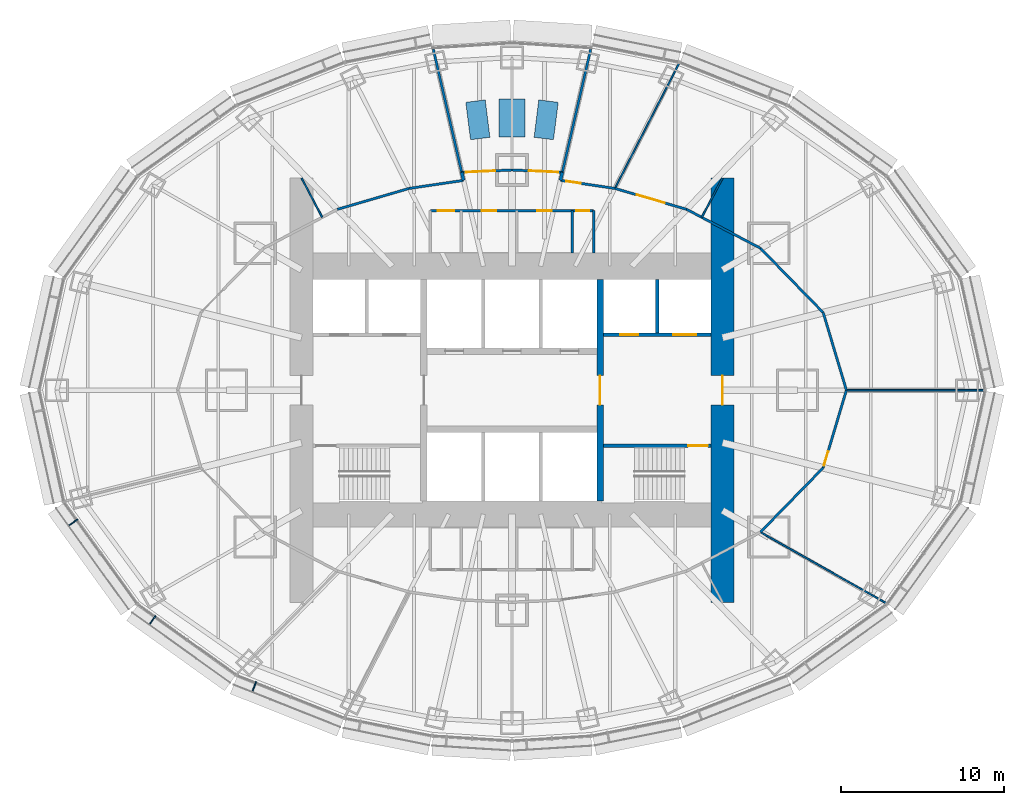
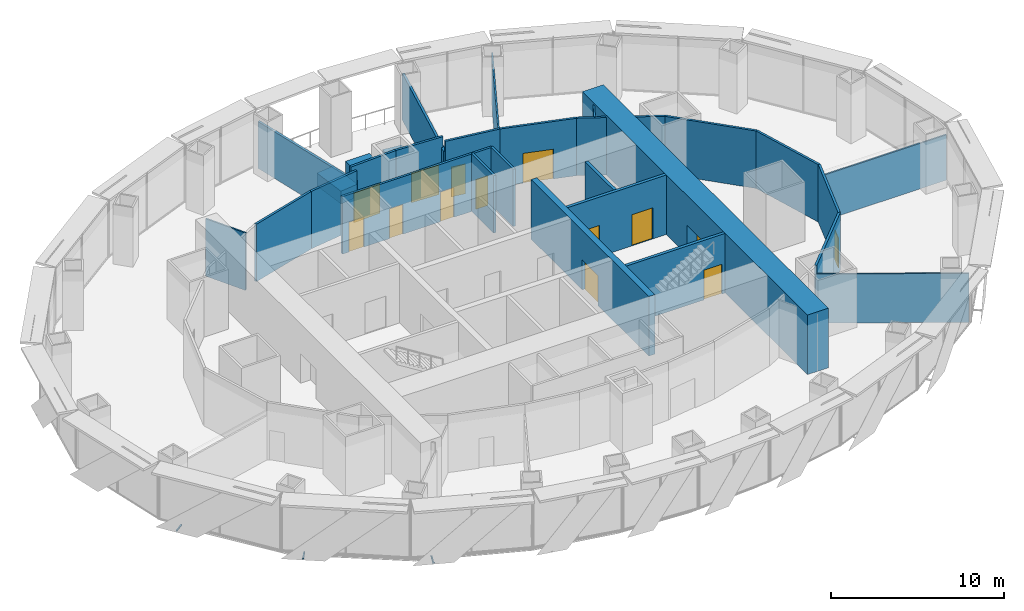
# One storey, part 12 of 17: 31 walls, 14 doors, 3 discrete accessories, 14 openings.
"""IFC4 building model written with IfcOpenShell, lengths in metres."""

from ifc_helpers import new_model, si_unit, direction, frame, frame_2d, origin, origin_2d, place, context, subcontext, project, spatial, rectangle, extrude, material, layer, layer_set, type_object, element, fill, save


model = new_model("IFC4")

# Units and contexts
model_context = context("Model", 3, precision=1e-05, world=origin(), true_north=direction((0.0, 1.0)))
body_context = subcontext(model_context, "Body", "Model", "MODEL_VIEW")
ifc_project = project(units=[si_unit("LENGTHUNIT", "METRE"), si_unit("AREAUNIT", "SQUARE_METRE"), si_unit("VOLUMEUNIT", "CUBIC_METRE"), si_unit("PLANEANGLEUNIT", "RADIAN"), si_unit("MASSUNIT", "GRAM", prefix="KILO")], contexts=[model_context])

# Site, building, storey
site_placement = place(None, origin())
site = spatial("IfcSite", under=ifc_project, at=site_placement, CompositionType="ELEMENT")
building_placement = place(site_placement, origin())
building = spatial("IfcBuilding", under=site, at=building_placement, Name="Lantaw Convention Tower", CompositionType="ELEMENT")
storey_placement = place(building_placement, frame((0.0, 0.0, 151.0)))
storey = spatial("IfcBuildingStorey", under=building, at=storey_placement, Name="L35", CompositionType="ELEMENT", Elevation=151.0)

# Wall, opening, door
ifc_material_1 = material(Name="Concrete C60/75", Category="concrete")
ifc_layer_1 = layer(ifc_material_1, 1.39990234375)
ifc_layer_set_1 = layer_set([ifc_layer_1], Name="Core wall 1400")
wall_type_1 = type_object("IfcWallType", Name="Core wall 1400", PredefinedType="SHEAR", material=ifc_layer_set_1)
wall_1_placement = place(storey_placement, frame((12.89990234375, -13.0, 0.0), z_axis=(0.0, 0.0, 1.0), x_axis=(0.0, 1.0, 0.0)))
wall_1 = element("IfcWall", 1, at=wall_1_placement, inside=storey, type_object=wall_type_1, Name="Core wall E", PredefinedType="SHEAR", context=body_context, shape_type="SweptSolid", body=[
    extrude(rectangle(XDim=26.0, YDim=1.39990234375, at=frame_2d((13.0, 0.0))), origin(), (0.0, 0.0, 1.0), 4.199951171875),
])
opening_1_placement = place(wall_1_placement, frame((12.10009765625, 0.0, 0.0)))
opening_1 = element("IfcOpeningElement", 2, at=opening_1_placement, cuts=wall_1, Name="Opening L35.05", PredefinedType="OPENING", context=body_context, shape_type="SweptSolid", body=[
    extrude(rectangle(XDim=1.800048828125, YDim=2.10009765625, at=frame_2d((0.89990234375, 1.050048828125))), frame((0.0, 0.7099609375, 0.0), z_axis=(0.0, -1.0, 0.0), x_axis=(1.0, 0.0, 0.0)), (0.0, 0.0, 1.0), 1.419921875),
])
ifc_material_2 = material(Name="Steel, fire rated", Category="steel")
door_type_1 = type_object("IfcDoorType", Name="Lobby double door FD90", OperationType="DOUBLE_DOOR_DOUBLE_SWING", PredefinedType="DOOR", material=ifc_material_2)
door_1_placement = place(opening_1_placement, origin())
door_1 = element("IfcDoor", 3, at=door_1_placement, inside=storey, type_object=door_type_1, Name="Firefighting lobby door", OperationType="DOUBLE_DOOR_DOUBLE_SWING", OverallHeight=2.10009765625, OverallWidth=1.800048828125, PredefinedType="DOOR", context=body_context, shape_type="SweptSolid", body=[
    extrude(rectangle(XDim=1.800048828125, YDim=2.10009765625, at=frame_2d((0.89990234375, 1.050048828125))), frame((0.0, 0.02490234375, 0.0), z_axis=(0.0, -1.0, 0.0), x_axis=(1.0, 0.0, 0.0)), (0.0, 0.0, 1.0), 0.050048828125),
])
fill(opening_1, door_1)

ifc_layer_2 = layer(ifc_material_1, 0.199951171875)
ifc_layer_set_2 = layer_set([ifc_layer_2], Name="Core wall 200")
wall_type_2 = type_object("IfcWallType", Name="Core wall 200", PredefinedType="SHEAR", material=ifc_layer_set_2)
wall_2_placement = place(storey_placement, frame((5.60009765625, -3.39990234375, 0.0), z_axis=(0.0, 0.0, 1.0), x_axis=(1.0, 0.0, 0.0)))
wall_2 = element("IfcWall", 4, at=wall_2_placement, inside=storey, type_object=wall_type_2, Name="Core wall ES", PredefinedType="SHEAR", context=body_context, shape_type="SweptSolid", body=[
    extrude(rectangle(XDim=6.599853515625, YDim=0.199951171875, at=frame_2d((3.2998046875, 0.0))), origin(), (0.0, 0.0, 1.0), 4.199951171875),
])
opening_2_placement = place(wall_2_placement, frame((5.199951171875, 0.0, 0.0)))
opening_2 = element("IfcOpeningElement", 5, at=opening_2_placement, cuts=wall_2, Name="Opening L35.03", PredefinedType="OPENING", context=body_context, shape_type="SweptSolid", body=[
    extrude(rectangle(XDim=1.199951171875, YDim=2.10009765625, at=frame_2d((0.60009765625, 1.050048828125))), frame((0.0, 0.10986328125, 0.0), z_axis=(0.0, -1.0, 0.0), x_axis=(1.0, 0.0, 0.0)), (0.0, 0.0, 1.0), 0.219970703125),
])
door_type_2 = type_object("IfcDoorType", Name="Stair door FD90", OperationType="SINGLE_SWING_RIGHT", PredefinedType="DOOR", material=ifc_material_2)
door_2_placement = place(opening_2_placement, origin())
door_2 = element("IfcDoor", 6, at=door_2_placement, inside=storey, type_object=door_type_2, Name="Exit stair door", OperationType="SINGLE_SWING_RIGHT", OverallHeight=2.10009765625, OverallWidth=1.199951171875, PredefinedType="DOOR", context=body_context, shape_type="SweptSolid", body=[
    extrude(rectangle(XDim=1.199951171875, YDim=2.10009765625, at=frame_2d((0.60009765625, 1.050048828125))), frame((0.0, 0.02490234375, 0.0), z_axis=(0.0, -1.0, 0.0), x_axis=(1.0, 0.0, 0.0)), (0.0, 0.0, 1.0), 0.050048828125),
])
fill(opening_2, door_2)

ifc_layer_3 = layer(ifc_material_1, 0.39990234375)
ifc_layer_set_3 = layer_set([ifc_layer_3], Name="Core wall 400")
wall_type_3 = type_object("IfcWallType", Name="Core wall 400", PredefinedType="SHEAR", material=ifc_layer_set_3)
wall_3_placement = place(storey_placement, frame((5.39990234375, -6.800048828125, 0.0), z_axis=(0.0, 0.0, 1.0), x_axis=(0.0, 1.0, 0.0)))
wall_3 = element("IfcWall", 7, at=wall_3_placement, inside=storey, type_object=wall_type_3, Name="Core wall XE", PredefinedType="SHEAR", context=body_context, shape_type="SweptSolid", body=[
    extrude(rectangle(XDim=13.60009765625, YDim=0.39990234375, at=frame_2d((6.800048828125, 0.0))), origin(), (0.0, 0.0, 1.0), 4.199951171875),
])
opening_3_placement = place(wall_3_placement, frame((5.89990234375, 0.0, 0.0)))
opening_3 = element("IfcOpeningElement", 8, at=opening_3_placement, cuts=wall_3, Name="Opening L35.01", PredefinedType="OPENING", context=body_context, shape_type="SweptSolid", body=[
    extrude(rectangle(XDim=1.800048828125, YDim=2.10009765625, at=frame_2d((0.89990234375, 1.050048828125))), frame((0.0, 0.2099609375, 0.0), z_axis=(0.0, -1.0, 0.0), x_axis=(1.0, 0.0, 0.0)), (0.0, 0.0, 1.0), 0.419921875),
])
door_3_placement = place(opening_3_placement, origin())
door_3 = element("IfcDoor", 9, at=door_3_placement, inside=storey, type_object=door_type_1, Name="Lift lobby door", OperationType="DOUBLE_DOOR_DOUBLE_SWING", OverallHeight=2.10009765625, OverallWidth=1.800048828125, PredefinedType="DOOR", context=body_context, shape_type="SweptSolid", body=[
    extrude(rectangle(XDim=1.800048828125, YDim=2.10009765625, at=frame_2d((0.89990234375, 1.050048828125))), frame((0.0, 0.02490234375, 0.0), z_axis=(0.0, -1.0, 0.0), x_axis=(1.0, 0.0, 0.0)), (0.0, 0.0, 1.0), 0.050048828125),
])
fill(opening_3, door_3)

# Walls
ifc_material_3 = material(Name="Gypsum board on steel studs, fire rated", Category="steel")
ifc_layer_4 = layer(ifc_material_3, 0.14990234375)
ifc_layer_set_4 = layer_set([ifc_layer_4], Name="Corridor wall 150 EI 60")
wall_type_4 = type_object("IfcWallType", Name="Corridor wall 150 EI 60", PredefinedType="PARTITIONING", material=ifc_layer_set_4)
wall_4_placement = place(storey_placement, frame((20.5, 0.0, 0.0), z_axis=(0.0, 0.0, 1.0), x_axis=(-0.286346182056, 0.958126225516, 0.0)))
element("IfcWall", 10, at=wall_4_placement, inside=storey, type_object=wall_type_4, Name="Corridor wall 150", PredefinedType="PARTITIONING", context=body_context, shape_type="SweptSolid", body=[
    extrude(rectangle(XDim=4.96484375, YDim=0.14990234375, at=frame_2d((2.482421875, 0.0))), origin(), (0.0, 0.0, 1.0), 4.050048828125),
])
wall_5_placement = place(storey_placement, frame((19.078369140625, 4.7568359375, 0.0), z_axis=(0.0, 0.0, 1.0), x_axis=(-0.698305033542, 0.715800307439, 0.0)))
element("IfcWall", 11, at=wall_5_placement, inside=storey, type_object=wall_type_4, Name="Corridor wall 150", PredefinedType="PARTITIONING", context=body_context, shape_type="SweptSolid", body=[
    extrude(rectangle(XDim=5.51220703125, YDim=0.14990234375, at=frame_2d((2.756103515625, 0.0))), origin(), (0.0, 0.0, 1.0), 4.050048828125),
])
wall_6_placement = place(storey_placement, frame((15.229248046875, 8.702392578125, 0.0), z_axis=(0.0, 0.0, 1.0), x_axis=(-0.884643590306, 0.466267860924, 0.0)))
element("IfcWall", 12, at=wall_6_placement, inside=storey, type_object=wall_type_4, Name="Corridor wall 150", PredefinedType="PARTITIONING", context=body_context, shape_type="SweptSolid", body=[
    extrude(rectangle(XDim=5.113037109375, YDim=0.14990234375, at=frame_2d((2.556640625, 0.0))), origin(), (0.0, 0.0, 1.0), 4.050048828125),
])

# Wall, opening, door
wall_7_placement = place(storey_placement, frame((10.7060546875, 11.08642578125, 0.0), z_axis=(0.0, 0.0, 1.0), x_axis=(-0.96001728753, 0.279940721659, 0.0)))
wall_7 = element("IfcWall", 13, at=wall_7_placement, inside=storey, type_object=wall_type_4, Name="Corridor wall 150", PredefinedType="PARTITIONING", context=body_context, shape_type="SweptSolid", body=[
    extrude(rectangle(XDim=4.58642578125, YDim=0.14990234375, at=frame_2d((2.293212890625, 0.0))), origin(), (0.0, 0.0, 1.0), 4.050048828125),
])
opening_4_placement = place(wall_7_placement, frame((1.393310546875, 0.0, 0.0)))
opening_4 = element("IfcOpeningElement", 14, at=opening_4_placement, cuts=wall_7, Name="Opening L35.27", PredefinedType="OPENING", context=body_context, shape_type="SweptSolid", body=[
    extrude(rectangle(XDim=1.800048828125, YDim=2.10009765625, at=frame_2d((0.89990234375, 1.050048828125))), frame((0.0, 0.0849609375, 0.0), z_axis=(0.0, -1.0, 0.0), x_axis=(1.0, 0.0, 0.0)), (0.0, 0.0, 1.0), 0.169921875),
])
door_type_3 = type_object("IfcDoorType", Name="Office double door 1800 FD30", OperationType="DOUBLE_DOOR_DOUBLE_SWING", PredefinedType="DOOR", material=ifc_material_2)
door_4_placement = place(opening_4_placement, origin())
door_4 = element("IfcDoor", 15, at=door_4_placement, inside=storey, type_object=door_type_3, Name="Co-working hot-desk area door", OperationType="DOUBLE_DOOR_DOUBLE_SWING", OverallHeight=2.10009765625, OverallWidth=1.800048828125, PredefinedType="DOOR", context=body_context, shape_type="SweptSolid", body=[
    extrude(rectangle(XDim=1.800048828125, YDim=2.10009765625, at=frame_2d((0.89990234375, 1.050048828125))), frame((0.0, 0.02490234375, 0.0), z_axis=(0.0, -1.0, 0.0), x_axis=(1.0, 0.0, 0.0)), (0.0, 0.0, 1.0), 0.050048828125),
])
fill(opening_4, door_4)

wall_8_placement = place(storey_placement, frame((6.302978515625, 12.370361328125, 0.0), z_axis=(0.0, 0.0, 1.0), x_axis=(-0.989262902935, 0.146146874329, 0.0)))
wall_8 = element("IfcWall", 16, at=wall_8_placement, inside=storey, type_object=wall_type_4, Name="Corridor wall 150", PredefinedType="PARTITIONING", context=body_context, shape_type="SweptSolid", body=[
    extrude(rectangle(XDim=3.369384765625, YDim=0.14990234375, at=frame_2d((1.6845703125, 0.0))), origin(), (0.0, 0.0, 1.0), 4.050048828125),
])
opening_5_placement = place(wall_8_placement, frame((2.1025390625, 0.0, 0.0)))
opening_5 = element("IfcOpeningElement", 17, at=opening_5_placement, cuts=wall_8, Name="Opening L35.28", PredefinedType="OPENING", context=body_context, shape_type="SweptSolid", body=[
    extrude(rectangle(XDim=0.89990234375, YDim=2.10009765625, at=frame_2d((0.449951171875, 1.050048828125))), frame((0.0, 0.0849609375, 0.0), z_axis=(0.0, -1.0, 0.0), x_axis=(1.0, 0.0, 0.0)), (0.0, 0.0, 1.0), 0.169921875),
])
door_type_4 = type_object("IfcDoorType", Name="Office door 900 FD30", OperationType="SINGLE_SWING_LEFT", PredefinedType="DOOR", material=ifc_material_2)
door_5_placement = place(opening_5_placement, origin())
door_5 = element("IfcDoor", 18, at=door_5_placement, inside=storey, type_object=door_type_4, Name="Phone booth room door", OperationType="SINGLE_SWING_LEFT", OverallHeight=2.10009765625, OverallWidth=0.89990234375, PredefinedType="DOOR", context=body_context, shape_type="SweptSolid", body=[
    extrude(rectangle(XDim=0.89990234375, YDim=2.10009765625, at=frame_2d((0.449951171875, 1.050048828125))), frame((0.0, 0.02490234375, 0.0), z_axis=(0.0, -1.0, 0.0), x_axis=(1.0, 0.0, 0.0)), (0.0, 0.0, 1.0), 0.050048828125),
])
fill(opening_5, door_5)

# Walls
wall_9_placement = place(storey_placement, frame((-2.9697265625, 12.86279296875, 0.0), z_axis=(0.0, 0.0, 1.0), x_axis=(-0.989262902935, -0.146146874329, 0.0)))
element("IfcWall", 19, at=wall_9_placement, inside=storey, type_object=wall_type_4, Name="Corridor wall 150", PredefinedType="PARTITIONING", context=body_context, shape_type="SweptSolid", body=[
    extrude(rectangle(XDim=3.369384765625, YDim=0.14990234375, at=frame_2d((1.6845703125, 0.0))), origin(), (0.0, 0.0, 1.0), 4.050048828125),
])
wall_10_placement = place(storey_placement, frame((-6.302978515625, 12.370361328125, 0.0), z_axis=(0.0, 0.0, 1.0), x_axis=(-0.96001728753, -0.279940721659, 0.0)))
element("IfcWall", 20, at=wall_10_placement, inside=storey, type_object=wall_type_4, Name="Corridor wall 150", PredefinedType="PARTITIONING", context=body_context, shape_type="SweptSolid", body=[
    extrude(rectangle(XDim=4.58642578125, YDim=0.14990234375, at=frame_2d((2.293212890625, 0.0))), origin(), (0.0, 0.0, 1.0), 4.050048828125),
])
wall_11_placement = place(storey_placement, frame((15.229248046875, -8.702392578125, 0.0), z_axis=(0.0, 0.0, 1.0), x_axis=(0.698305033542, 0.715800307439, 0.0)))
element("IfcWall", 21, at=wall_11_placement, inside=storey, type_object=wall_type_4, Name="Corridor wall 150", PredefinedType="PARTITIONING", context=body_context, shape_type="SweptSolid", body=[
    extrude(rectangle(XDim=5.51220703125, YDim=0.14990234375, at=frame_2d((2.756103515625, 0.0))), origin(), (0.0, 0.0, 1.0), 4.050048828125),
])

# Wall, opening, door
wall_12_placement = place(storey_placement, frame((19.078369140625, -4.7568359375, 0.0), z_axis=(0.0, 0.0, 1.0), x_axis=(0.286346182056, 0.958126225516, 0.0)))
wall_12 = element("IfcWall", 22, at=wall_12_placement, inside=storey, type_object=wall_type_4, Name="Corridor wall 150", PredefinedType="PARTITIONING", context=body_context, shape_type="SweptSolid", body=[
    extrude(rectangle(XDim=4.96484375, YDim=0.14990234375, at=frame_2d((2.482421875, 0.0))), origin(), (0.0, 0.0, 1.0), 4.050048828125),
])
opening_6_placement = place(wall_12_placement, frame((0.14990234375, 0.0, 0.0)))
opening_6 = element("IfcOpeningElement", 23, at=opening_6_placement, cuts=wall_12, Name="Opening L35.26", PredefinedType="OPENING", context=body_context, shape_type="SweptSolid", body=[
    extrude(rectangle(XDim=0.89990234375, YDim=2.10009765625, at=frame_2d((0.449951171875, 1.050048828125))), frame((0.0, 0.0849609375, 0.0), z_axis=(0.0, -1.0, 0.0), x_axis=(1.0, 0.0, 0.0)), (0.0, 0.0, 1.0), 0.169921875),
])
door_6_placement = place(opening_6_placement, origin())
door_6 = element("IfcDoor", 24, at=door_6_placement, inside=storey, type_object=door_type_4, Name="Meeting room door", OperationType="SINGLE_SWING_LEFT", OverallHeight=2.10009765625, OverallWidth=0.89990234375, PredefinedType="DOOR", context=body_context, shape_type="SweptSolid", body=[
    extrude(rectangle(XDim=0.89990234375, YDim=2.10009765625, at=frame_2d((0.449951171875, 1.050048828125))), frame((0.0, 0.02490234375, 0.0), z_axis=(0.0, -1.0, 0.0), x_axis=(1.0, 0.0, 0.0)), (0.0, 0.0, 1.0), 0.050048828125),
])
fill(opening_6, door_6)

# Walls
ifc_material_4 = material(Name="Insulated aluminium panel on steel frame", Category="steel")
ifc_layer_5 = layer(ifc_material_4, 0.199951171875)
ifc_layer_set_5 = layer_set([ifc_layer_5], Name="External wall 200")
wall_type_5 = type_object("IfcWallType", Name="External wall 200", PredefinedType="SOLIDWALL", material=ifc_layer_set_5)
for number, where, z_axis, x_axis, name in (
    (25, (3.0830078125, 13.353759765625, 0.0), (0.0, 0.0, 1.0), (-0.224824119182, -0.974399361368, 0.0), "External wall 200"),
    (26, (-3.0830078125, 13.353759765625, 0.0), (0.0, 0.0, 1.0), (0.224824119182, -0.974399361368, 0.0), "External wall 200"),
):
    element("IfcWall", number, at=place(storey_placement, frame(where, z_axis=z_axis, x_axis=x_axis)), inside=storey, type_object=wall_type_5, Name=name, PredefinedType="SOLIDWALL", context=body_context, shape_type="SweptSolid", body=[
        extrude(rectangle(XDim=0.50390625, YDim=0.199951171875, at=frame_2d((0.251953125, 0.0))), origin(), (0.0, 0.0, 1.0), 3.29296875),
    ])
ifc_material_5 = material(Name="Aluminium framed glazing", Category="aluminium")
ifc_layer_6 = layer(ifc_material_5, 0.14990234375)
ifc_layer_set_6 = layer_set([ifc_layer_6], Name="Glazed garden screen 150")
wall_type_6 = type_object("IfcWallType", Name="Glazed garden screen 150", PredefinedType="ELEMENTEDWALL", material=ifc_layer_set_6)
for number, where, z_axis, x_axis, name in (
    (27, (3.0830078125, 13.353759765625, 0.0), (0.0, 0.0, 1.0), (0.224937789559, 0.974373127107, 0.0), "Glazed garden screen"),
    (28, (-3.0830078125, 13.353759765625, 0.0), (0.0, 0.0, 1.0), (-0.224937789559, 0.974373127107, 0.0), "Glazed garden screen"),
):
    element("IfcWall", number, at=place(storey_placement, frame(where, z_axis=z_axis, x_axis=x_axis)), inside=storey, type_object=wall_type_6, Name=name, PredefinedType="ELEMENTEDWALL", context=body_context, shape_type="SweptSolid", body=[
        extrude(rectangle(XDim=7.744140625, YDim=0.14990234375, at=frame_2d((3.8720703125, 0.0))), origin(), (0.0, 0.0, 1.0), 3.29296875),
    ])

# Wall, opening, door
wall_13_placement = place(storey_placement, frame((3.0830078125, 13.353759765625, 0.0), z_axis=(0.0, 0.0, 1.0), x_axis=(-0.998876889773, 0.047380999127, 0.0)))
wall_13 = element("IfcWall", 29, at=wall_13_placement, inside=storey, type_object=wall_type_6, Name="Glazed garden screen 150", PredefinedType="ELEMENTEDWALL", context=body_context, shape_type="SweptSolid", body=[
    extrude(rectangle(XDim=3.08642578125, YDim=0.14990234375, at=frame_2d((1.543212890625, 0.0))), origin(), (0.0, 0.0, 1.0), 4.050048828125),
])
opening_7_placement = place(wall_13_placement, frame((0.2431640625, 0.0, 0.0)))
opening_7 = element("IfcOpeningElement", 30, at=opening_7_placement, cuts=wall_13, Name="Opening L35.29", PredefinedType="OPENING", context=body_context, shape_type="SweptSolid", body=[
    extrude(rectangle(XDim=1.800048828125, YDim=2.10009765625, at=frame_2d((0.89990234375, 1.050048828125))), frame((0.0, 0.0849609375, 0.0), z_axis=(0.0, -1.0, 0.0), x_axis=(1.0, 0.0, 0.0)), (0.0, 0.0, 1.0), 0.169921875),
])
ifc_material_6 = material(Name="Aluminium and glass", Category="aluminium")
door_type_5 = type_object("IfcDoorType", Name="Garden door 1800", OperationType="DOUBLE_DOOR_DOUBLE_SWING", PredefinedType="DOOR", material=ifc_material_6)
door_7_placement = place(opening_7_placement, origin())
door_7 = element("IfcDoor", 31, at=door_7_placement, inside=storey, type_object=door_type_5, Name="Sky garden door", OperationType="DOUBLE_DOOR_DOUBLE_SWING", OverallHeight=2.10009765625, OverallWidth=1.800048828125, PredefinedType="DOOR", context=body_context, shape_type="SweptSolid", body=[
    extrude(rectangle(XDim=1.800048828125, YDim=2.10009765625, at=frame_2d((0.89990234375, 1.050048828125))), frame((0.0, 0.02490234375, 0.0), z_axis=(0.0, -1.0, 0.0), x_axis=(1.0, 0.0, 0.0)), (0.0, 0.0, 1.0), 0.050048828125),
])
fill(opening_7, door_7)

wall_14_placement = place(storey_placement, frame((0.0, 13.5, 0.0), z_axis=(0.0, 0.0, 1.0), x_axis=(-0.998876889773, -0.047380999127, 0.0)))
wall_14 = element("IfcWall", 32, at=wall_14_placement, inside=storey, type_object=wall_type_6, Name="Glazed garden screen 150", PredefinedType="ELEMENTEDWALL", context=body_context, shape_type="SweptSolid", body=[
    extrude(rectangle(XDim=3.08642578125, YDim=0.14990234375, at=frame_2d((1.543212890625, 0.0))), origin(), (0.0, 0.0, 1.0), 4.050048828125),
])
opening_8_placement = place(wall_14_placement, frame((1.043212890625, 0.0, 0.0)))
opening_8 = element("IfcOpeningElement", 33, at=opening_8_placement, cuts=wall_14, Name="Opening L35.30", PredefinedType="OPENING", context=body_context, shape_type="SweptSolid", body=[
    extrude(rectangle(XDim=1.800048828125, YDim=2.10009765625, at=frame_2d((0.89990234375, 1.050048828125))), frame((0.0, 0.0849609375, 0.0), z_axis=(0.0, -1.0, 0.0), x_axis=(1.0, 0.0, 0.0)), (0.0, 0.0, 1.0), 0.169921875),
])
door_8_placement = place(opening_8_placement, origin())
door_8 = element("IfcDoor", 34, at=door_8_placement, inside=storey, type_object=door_type_5, Name="Sky garden door", OperationType="DOUBLE_DOOR_DOUBLE_SWING", OverallHeight=2.10009765625, OverallWidth=1.800048828125, PredefinedType="DOOR", context=body_context, shape_type="SweptSolid", body=[
    extrude(rectangle(XDim=1.800048828125, YDim=2.10009765625, at=frame_2d((0.89990234375, 1.050048828125))), frame((0.0, 0.02490234375, 0.0), z_axis=(0.0, -1.0, 0.0), x_axis=(1.0, 0.0, 0.0)), (0.0, 0.0, 1.0), 0.050048828125),
])
fill(opening_8, door_8)

# Walls
ifc_material_7 = material(Name="Gypsum board on steel studs, acoustic", Category="steel")
ifc_layer_7 = layer(ifc_material_7, 0.10009765625)
ifc_layer_set_7 = layer_set([ifc_layer_7], Name="Office partition 100")
wall_type_7 = type_object("IfcWallType", Name="Office partition 100", PredefinedType="PARTITIONING", material=ifc_layer_set_7)
wall_15_placement = place(storey_placement, frame((28.944091796875, 0.0, 0.0), z_axis=(0.0, 0.0, 1.0), x_axis=(-1.0, 0.0, 0.0)))
element("IfcWall", 35, at=wall_15_placement, inside=storey, type_object=wall_type_7, Name="Office partition 100", PredefinedType="PARTITIONING", context=body_context, shape_type="SweptSolid", body=[
    extrude(rectangle(XDim=8.444091796875, YDim=0.10009765625, at=frame_2d((4.22216796875, 0.0))), origin(), (0.0, 0.0, 1.0), 3.2041015625),
])
wall_16_placement = place(storey_placement, frame((10.253173828125, 20.0517578125, 0.0), z_axis=(0.0, 0.0, 1.0), x_axis=(-0.457326298316, -0.88929896934, 0.0)))
element("IfcWall", 36, at=wall_16_placement, inside=storey, type_object=wall_type_7, Name="Office partition 100", PredefinedType="PARTITIONING", context=body_context, shape_type="SweptSolid", body=[
    extrude(rectangle(XDim=8.6376953125, YDim=0.10009765625, at=frame_2d((4.31884765625, 0.0))), origin(), (0.0, 0.0, 1.0), 3.348876953125),
])
wall_17_placement = place(storey_placement, frame((22.94921875, -13.05908203125, 0.0), z_axis=(0.0, 0.0, 1.0), x_axis=(-0.870889908693, 0.491478144923, 0.0)))
element("IfcWall", 37, at=wall_17_placement, inside=storey, type_object=wall_type_7, Name="Office partition 100", PredefinedType="PARTITIONING", context=body_context, shape_type="SweptSolid", body=[
    extrude(rectangle(XDim=8.864501953125, YDim=0.10009765625, at=frame_2d((4.43212890625, 0.0))), origin(), (0.0, 0.0, 1.0), 3.450439453125),
])
for number, where, z_axis, x_axis, name in (
    (38, (12.89990234375, 13.0, 0.0), (0.0, 0.0, 1.0), (-0.466205800243, -0.884676297761, 0.0), "Office partition 100"),
    (39, (-12.89990234375, 13.0, 0.0), (0.0, 0.0, 1.0), (0.466205800243, -0.884676297761, 0.0), "Office partition 100"),
):
    element("IfcWall", number, at=place(storey_placement, frame(where, z_axis=z_axis, x_axis=x_axis)), inside=storey, type_object=wall_type_7, Name=name, PredefinedType="PARTITIONING", context=body_context, shape_type="SweptSolid", body=[
        extrude(rectangle(XDim=2.7158203125, YDim=0.10009765625, at=frame_2d((1.35791015625, 0.0))), origin(), (0.0, 0.0, 1.0), 4.050048828125),
    ])
ifc_material_8 = material(Name="Precast concrete planter", Category="concrete")
ifc_layer_8 = layer(ifc_material_8, 1.199951171875)
ifc_layer_set_8 = layer_set([ifc_layer_8], Name="PLANTER box 1200x900")
wall_type_8 = type_object("IfcWallType", Name="PLANTER box 1200x900", PredefinedType="USERDEFINED", material=ifc_layer_set_8)
for number, where, z_axis, x_axis, name in (
    (40, (1.9482421875, 15.427490234375, 0.0), (0.0, 0.0, 1.0), (0.124879181174, 0.992171955918, 0.0), "Tree PLANTER"),
    (41, (-1.9482421875, 15.427490234375, 0.0), (0.0, 0.0, 1.0), (-0.124879181174, 0.992171955918, 0.0), "Tree PLANTER"),
):
    element("IfcWall", number, at=place(storey_placement, frame(where, z_axis=z_axis, x_axis=x_axis)), inside=storey, type_object=wall_type_8, Name=name, ObjectType="PLANTER", PredefinedType="USERDEFINED", context=body_context, shape_type="SweptSolid", body=[
        extrude(rectangle(XDim=2.312744140625, YDim=1.199951171875, at=frame_2d((1.15625, 0.0))), origin(), (0.0, 0.0, 1.0), 0.89990234375),
    ])
ifc_layer_9 = layer(ifc_material_8, 1.60009765625)
ifc_layer_set_9 = layer_set([ifc_layer_9], Name="PLANTER box 1600x900")
wall_type_9 = type_object("IfcWallType", Name="PLANTER box 1600x900", PredefinedType="USERDEFINED", material=ifc_layer_set_9)
wall_18_placement = place(storey_placement, frame((0.0, 15.530029296875, 0.0), z_axis=(0.0, 0.0, 1.0), x_axis=(0.0, 1.0, 0.0)))
element("IfcWall", 42, at=wall_18_placement, inside=storey, type_object=wall_type_9, Name="Tree PLANTER", ObjectType="PLANTER", PredefinedType="USERDEFINED", context=body_context, shape_type="SweptSolid", body=[
    extrude(rectangle(XDim=2.320068359375, YDim=1.60009765625, at=frame_2d((1.16015625, 0.0))), origin(), (0.0, 0.0, 1.0), 0.89990234375),
])

# Wall, openings, doors
ifc_material_9 = material(Name="Concrete blockwork, fire rated", Category="masonry")
ifc_layer_10 = layer(ifc_material_9, 0.199951171875)
ifc_layer_set_10 = layer_set([ifc_layer_10], Name="Shaft wall 200")
wall_type_10 = type_object("IfcWallType", Name="Shaft wall 200", PredefinedType="SOLIDWALL", material=ifc_layer_set_10)
wall_19_placement = place(storey_placement, frame((12.199951171875, 3.39990234375, 0.0), z_axis=(0.0, 0.0, 1.0), x_axis=(-1.0, 0.0, 0.0)))
wall_19 = element("IfcWall", 43, at=wall_19_placement, inside=storey, type_object=wall_type_10, Name="Shaft wall EN", PredefinedType="SOLIDWALL", context=body_context, shape_type="SweptSolid", body=[
    extrude(rectangle(XDim=6.599853515625, YDim=0.199951171875, at=frame_2d((3.2998046875, 0.0))), origin(), (0.0, 0.0, 1.0), 4.199951171875),
])
opening_9_placement = place(wall_19_placement, frame((4.449951171875, 0.0, 0.0)))
opening_9 = element("IfcOpeningElement", 44, at=opening_9_placement, cuts=wall_19, Name="Opening L35.12", PredefinedType="OPENING", context=body_context, shape_type="SweptSolid", body=[
    extrude(rectangle(XDim=1.10009765625, YDim=2.199951171875, at=frame_2d((0.550048828125, 1.10009765625))), frame((0.0, 0.10986328125, 0.0), z_axis=(0.0, -1.0, 0.0), x_axis=(1.0, 0.0, 0.0)), (0.0, 0.0, 1.0), 0.219970703125),
])
opening_10_placement = place(wall_19_placement, frame((0.89990234375, 0.0, 0.0)))
opening_10 = element("IfcOpeningElement", 45, at=opening_10_placement, cuts=wall_19, Name="Opening L35.13", PredefinedType="OPENING", context=body_context, shape_type="SweptSolid", body=[
    extrude(rectangle(XDim=1.39990234375, YDim=2.199951171875, at=frame_2d((0.699951171875, 1.10009765625))), frame((0.0, 0.10986328125, 0.0), z_axis=(0.0, -1.0, 0.0), x_axis=(1.0, 0.0, 0.0)), (0.0, 0.0, 1.0), 0.219970703125),
])
ifc_material_10 = material(Name="Stainless steel", Category="steel")
door_type_6 = type_object("IfcDoorType", Name="Lift landing door 1100", OperationType="DOUBLE_DOOR_SLIDING", PredefinedType="DOOR", material=ifc_material_10)
door_9_placement = place(opening_9_placement, origin())
door_9 = element("IfcDoor", 46, at=door_9_placement, inside=storey, type_object=door_type_6, Name="Lift landing door FF2", OperationType="DOUBLE_DOOR_SLIDING", OverallHeight=2.199951171875, OverallWidth=1.10009765625, PredefinedType="DOOR", context=body_context, shape_type="SweptSolid", body=[
    extrude(rectangle(XDim=1.10009765625, YDim=2.199951171875, at=frame_2d((0.550048828125, 1.10009765625))), frame((0.0, 0.02490234375, 0.0), z_axis=(0.0, -1.0, 0.0), x_axis=(1.0, 0.0, 0.0)), (0.0, 0.0, 1.0), 0.050048828125),
])
fill(opening_9, door_9)
door_type_7 = type_object("IfcDoorType", Name="Lift landing door 1400", OperationType="DOUBLE_DOOR_SLIDING", PredefinedType="DOOR", material=ifc_material_10)
door_10_placement = place(opening_10_placement, origin())
door_10 = element("IfcDoor", 47, at=door_10_placement, inside=storey, type_object=door_type_7, Name="Lift landing door SV2", OperationType="DOUBLE_DOOR_SLIDING", OverallHeight=2.199951171875, OverallWidth=1.39990234375, PredefinedType="DOOR", context=body_context, shape_type="SweptSolid", body=[
    extrude(rectangle(XDim=1.39990234375, YDim=2.199951171875, at=frame_2d((0.699951171875, 1.10009765625))), frame((0.0, 0.02490234375, 0.0), z_axis=(0.0, -1.0, 0.0), x_axis=(1.0, 0.0, 0.0)), (0.0, 0.0, 1.0), 0.050048828125),
])
fill(opening_10, door_10)

# Wall
wall_20_placement = place(storey_placement, frame((8.89990234375, 3.5, 0.0), z_axis=(0.0, 0.0, 1.0), x_axis=(0.0, 1.0, 0.0)))
element("IfcWall", 48, at=wall_20_placement, inside=storey, type_object=wall_type_10, Name="Shaft wall ED", PredefinedType="SOLIDWALL", context=body_context, shape_type="SweptSolid", body=[
    extrude(rectangle(XDim=3.300048828125, YDim=0.199951171875, at=frame_2d((1.64990234375, 0.0))), origin(), (0.0, 0.0, 1.0), 4.199951171875),
])

# Wall, openings, doors
ifc_material_11 = material(Name="Concrete blockwork", Category="masonry")
ifc_layer_11 = layer(ifc_material_11, 0.14990234375)
ifc_layer_set_11 = layer_set([ifc_layer_11], Name="WC wall 150")
wall_type_11 = type_object("IfcWallType", Name="WC wall 150", PredefinedType="SOLIDWALL", material=ifc_layer_set_11)
wall_21_placement = place(storey_placement, frame((-5.0, 11.007080078125, 0.0), z_axis=(0.0, 0.0, 1.0), x_axis=(1.0, 0.0, 0.0)))
wall_21 = element("IfcWall", 49, at=wall_21_placement, inside=storey, type_object=wall_type_11, Name="WC wall 150", PredefinedType="SOLIDWALL", context=body_context, shape_type="SweptSolid", body=[
    extrude(rectangle(XDim=10.0, YDim=0.14990234375, at=frame_2d((5.0, 0.0))), origin(), (0.0, 0.0, 1.0), 4.050048828125),
])
opening_11_placement = place(wall_21_placement, frame((0.449951171875, 0.0, 0.0)))
opening_11 = element("IfcOpeningElement", 50, at=opening_11_placement, cuts=wall_21, Name="Opening L35.14", PredefinedType="OPENING", context=body_context, shape_type="SweptSolid", body=[
    extrude(rectangle(XDim=1.0, YDim=2.10009765625, at=frame_2d((0.5, 1.050048828125))), frame((0.0, 0.0849609375, 0.0), z_axis=(0.0, -1.0, 0.0), x_axis=(1.0, 0.0, 0.0)), (0.0, 0.0, 1.0), 0.169921875),
])
opening_12_placement = place(wall_21_placement, frame((3.14990234375, 0.0, 0.0)))
opening_12 = element("IfcOpeningElement", 51, at=opening_12_placement, cuts=wall_21, Name="Opening L35.15", PredefinedType="OPENING", context=body_context, shape_type="SweptSolid", body=[
    extrude(rectangle(XDim=0.89990234375, YDim=2.10009765625, at=frame_2d((0.449951171875, 1.050048828125))), frame((0.0, 0.0849609375, 0.0), z_axis=(0.0, -1.0, 0.0), x_axis=(1.0, 0.0, 0.0)), (0.0, 0.0, 1.0), 0.169921875),
])
opening_13_placement = place(wall_21_placement, frame((6.550048828125, 0.0, 0.0)))
opening_13 = element("IfcOpeningElement", 52, at=opening_13_placement, cuts=wall_21, Name="Opening L35.16", PredefinedType="OPENING", context=body_context, shape_type="SweptSolid", body=[
    extrude(rectangle(XDim=0.89990234375, YDim=2.10009765625, at=frame_2d((0.449951171875, 1.050048828125))), frame((0.0, 0.0849609375, 0.0), z_axis=(0.0, -1.0, 0.0), x_axis=(1.0, 0.0, 0.0)), (0.0, 0.0, 1.0), 0.169921875),
])
opening_14_placement = place(wall_21_placement, frame((8.949951171875, 0.0, 0.0)))
opening_14 = element("IfcOpeningElement", 53, at=opening_14_placement, cuts=wall_21, Name="Opening L35.17", PredefinedType="OPENING", context=body_context, shape_type="SweptSolid", body=[
    extrude(rectangle(XDim=0.800048828125, YDim=2.10009765625, at=frame_2d((0.39990234375, 1.050048828125))), frame((0.0, 0.0849609375, 0.0), z_axis=(0.0, -1.0, 0.0), x_axis=(1.0, 0.0, 0.0)), (0.0, 0.0, 1.0), 0.169921875),
])
ifc_material_12 = material(Name="Timber", Category="wood")
door_type_8 = type_object("IfcDoorType", Name="Accessible WC door 1000", OperationType="SINGLE_SWING_LEFT", PredefinedType="DOOR", material=ifc_material_12)
door_11_placement = place(opening_11_placement, origin())
door_11 = element("IfcDoor", 54, at=door_11_placement, inside=storey, type_object=door_type_8, Name="Accessible WC door", OperationType="SINGLE_SWING_LEFT", OverallHeight=2.10009765625, OverallWidth=1.0, PredefinedType="DOOR", context=body_context, shape_type="SweptSolid", body=[
    extrude(rectangle(XDim=1.0, YDim=2.10009765625, at=frame_2d((0.5, 1.050048828125))), frame((0.0, 0.02490234375, 0.0), z_axis=(0.0, -1.0, 0.0), x_axis=(1.0, 0.0, 0.0)), (0.0, 0.0, 1.0), 0.050048828125),
])
fill(opening_11, door_11)
door_type_9 = type_object("IfcDoorType", Name="WC door 800", OperationType="SINGLE_SWING_LEFT", PredefinedType="DOOR", material=ifc_material_12)
door_12_placement = place(opening_14_placement, origin())
door_12 = element("IfcDoor", 55, at=door_12_placement, inside=storey, type_object=door_type_9, Name="Cleaner's store door", OperationType="SINGLE_SWING_LEFT", OverallHeight=2.10009765625, OverallWidth=0.800048828125, PredefinedType="DOOR", context=body_context, shape_type="SweptSolid", body=[
    extrude(rectangle(XDim=0.800048828125, YDim=2.10009765625, at=frame_2d((0.39990234375, 1.050048828125))), frame((0.0, 0.02490234375, 0.0), z_axis=(0.0, -1.0, 0.0), x_axis=(1.0, 0.0, 0.0)), (0.0, 0.0, 1.0), 0.050048828125),
])
fill(opening_14, door_12)
door_type_10 = type_object("IfcDoorType", Name="WC door 900", OperationType="SINGLE_SWING_LEFT", PredefinedType="DOOR", material=ifc_material_12)
door_13_placement = place(opening_12_placement, origin())
door_13 = element("IfcDoor", 56, at=door_13_placement, inside=storey, type_object=door_type_10, Name="Male WC door", OperationType="SINGLE_SWING_LEFT", OverallHeight=2.10009765625, OverallWidth=0.89990234375, PredefinedType="DOOR", context=body_context, shape_type="SweptSolid", body=[
    extrude(rectangle(XDim=0.89990234375, YDim=2.10009765625, at=frame_2d((0.449951171875, 1.050048828125))), frame((0.0, 0.02490234375, 0.0), z_axis=(0.0, -1.0, 0.0), x_axis=(1.0, 0.0, 0.0)), (0.0, 0.0, 1.0), 0.050048828125),
])
fill(opening_12, door_13)
door_14_placement = place(opening_13_placement, origin())
door_14 = element("IfcDoor", 57, at=door_14_placement, inside=storey, type_object=door_type_10, Name="Female WC door", OperationType="SINGLE_SWING_LEFT", OverallHeight=2.10009765625, OverallWidth=0.89990234375, PredefinedType="DOOR", context=body_context, shape_type="SweptSolid", body=[
    extrude(rectangle(XDim=0.89990234375, YDim=2.10009765625, at=frame_2d((0.449951171875, 1.050048828125))), frame((0.0, 0.02490234375, 0.0), z_axis=(0.0, -1.0, 0.0), x_axis=(1.0, 0.0, 0.0)), (0.0, 0.0, 1.0), 0.050048828125),
])
fill(opening_13, door_14)

# Walls
for number, where, z_axis, x_axis, name in (
    (58, (5.0, 8.39990234375, 0.0), (0.0, 0.0, 1.0), (0.0, 1.0, 0.0), "WC wall 150"),
    (59, (3.699951171875, 8.39990234375, 0.0), (0.0, 0.0, 1.0), (0.0, 1.0, 0.0), "WC wall 150"),
):
    element("IfcWall", number, at=place(storey_placement, frame(where, z_axis=z_axis, x_axis=x_axis)), inside=storey, type_object=wall_type_11, Name=name, PredefinedType="SOLIDWALL", context=body_context, shape_type="SweptSolid", body=[
        extrude(rectangle(XDim=2.607177734375, YDim=0.14990234375, at=frame_2d((1.3037109375, 0.0))), origin(), (0.0, 0.0, 1.0), 4.050048828125),
    ])

# Discrete accessories
for number, where, z_axis, x_axis, name in (
    (60, (-26.900146484375, -8.111572265625, -0.114990234375), (0.0, 0.0, 1.0), (0.584512597221, -0.811384633629, 0.0), "Screen bracket"),
    (61, (-22.044189453125, -14.10546875, -0.114990234375), (0.0, 0.0, 1.0), (0.813208325995, -0.581972695693, 0.0), "Screen bracket"),
    (62, (-15.802978515625, -18.18798828125, -0.114990234375), (0.0, 0.0, 1.0), (0.929547687544, -0.368701907483, 0.0), "Screen bracket"),
):
    element("IfcDiscreteAccessory", number, at=place(storey_placement, frame(where, z_axis=z_axis, x_axis=x_axis)), inside=storey, Name=name, PredefinedType="BRACKET", context=body_context, shape_type="SweptSolid", body=[
        extrude(rectangle(XDim=0.080078125, YDim=0.68798828125, at=origin_2d()), origin(), (0.0, 0.0, 1.0), 0.080078125),
    ])

save(model, "model.ifc")
